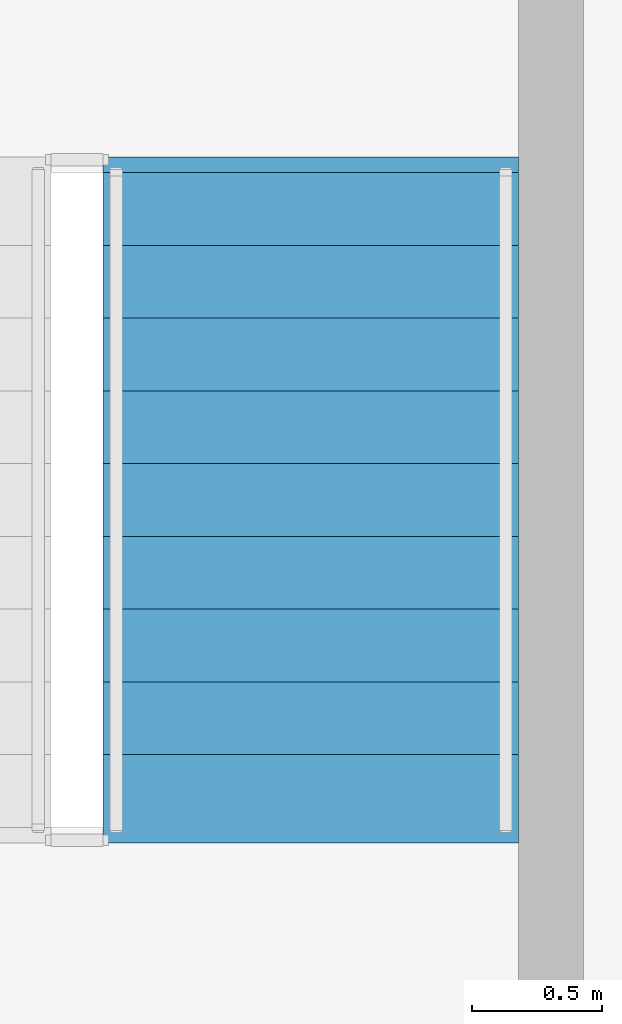
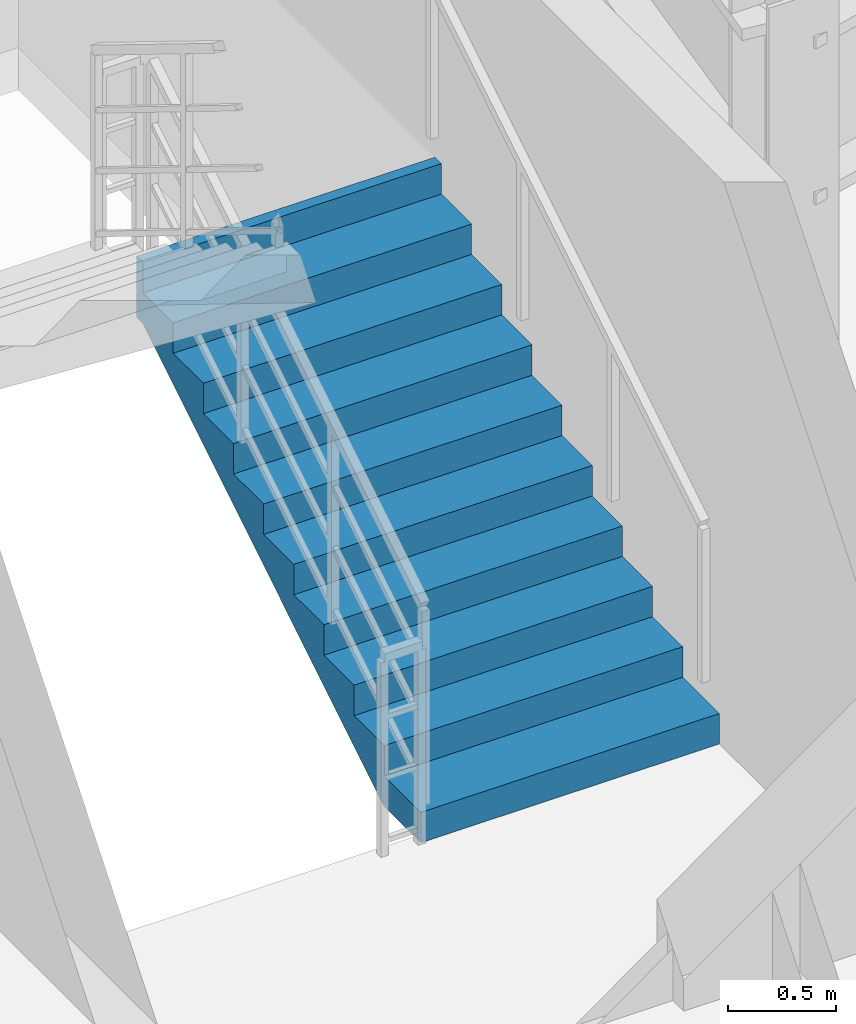
# One storey, part 12 of 13: 1 stair flight, 1 element without a shape of its own.
"""IFC4 building model written with IfcOpenShell, lengths in metres."""

import ifcopenshell
import ifcopenshell.guid

model = None  # the IFC model being written
_history = None  # IfcOwnerHistory: only IFC2X3 demands one
_inside = {}  # id of a spatial element -> (the spatial element, [elements in it])
_under = {}  # id of a project, library or spatial element -> (it, [spatial elements below it])
_declared = {}  # id of a project -> (the project, [libraries it declares])
_typed = {}  # id of a type object -> (the type object, [elements of that type])
_made_of = {}  # id of a material, layer set ... -> (it, [elements and type objects made of it])


def new_model(schema):
    """Start an empty IFC model of exactly this schema.

    Asked for "IFC4X3", IfcOpenShell would pick the latest addendum, in which some entities
    have other attributes; the version numbers below select the first issue.
    IFC2X3 requires an IfcOwnerHistory on every rooted entity: one is made here for all.
    """
    global model, _history
    if schema == "IFC4X3":
        model = ifcopenshell.file(schema_version=(4, 3, 0, 0))
    else:
        model = ifcopenshell.file(schema=schema)
    _inside.clear()
    _under.clear()
    _declared.clear()
    _typed.clear()
    _made_of.clear()
    _history = None
    if model.schema == "IFC2X3":
        org = make("IfcOrganization", Name="unknown")
        user = make(
            "IfcPersonAndOrganization",
            ThePerson=make("IfcPerson", FamilyName="unknown"),
            TheOrganization=org,
        )
        app = make(
            "IfcApplication",
            ApplicationDeveloper=org,
            Version="unknown",
            ApplicationFullName="unknown",
            ApplicationIdentifier="unknown",
        )
        _history = make(
            "IfcOwnerHistory",
            OwningUser=user,
            OwningApplication=app,
            ChangeAction="ADDED",
            CreationDate=0,
        )
    return model


def make(cls, **values):
    """One entity of the class cls with the attributes given. An attribute that is None is left unset."""
    return model.create_entity(
        cls, **{name: value for name, value in values.items() if value is not None}
    )


def rooted(cls, **values):
    """An entity with a GlobalId (a new one), such as an element, a storey or a relation."""
    return make(cls, GlobalId=ifcopenshell.guid.new(), OwnerHistory=_history, **values)


def si_unit(unit_type, name, prefix=None):
    """IfcSIUnit, for example si_unit("LENGTHUNIT", "METRE", prefix="MILLI")."""
    return make("IfcSIUnit", UnitType=unit_type, Prefix=prefix, Name=name)


def assignment(units):
    """IfcUnitAssignment: the units of a project."""
    return None if units is None else make("IfcUnitAssignment", Units=units)


def point(xyz):
    """IfcCartesianPoint."""
    return None if xyz is None else make("IfcCartesianPoint", Coordinates=xyz)


def direction(xyz):
    """IfcDirection."""
    return None if xyz is None else make("IfcDirection", DirectionRatios=xyz)


def frame(location, z_axis=None, x_axis=None):
    """IfcAxis2Placement3D, a coordinate frame: its origin and axes. An axis left out is left unset."""
    return make(
        "IfcAxis2Placement3D",
        Location=point(location),
        Axis=direction(z_axis),
        RefDirection=direction(x_axis),
    )


def origin():
    """The frame at (0, 0, 0) with its axes left unset."""
    return frame((0.0, 0.0, 0.0))


def place(relative_to, where):
    """IfcLocalPlacement: puts the frame where relative to a parent placement (None: the world)."""
    return make(
        "IfcLocalPlacement", PlacementRelTo=relative_to, RelativePlacement=where
    )


def context(
    kind, dimensions, precision=None, world=None, true_north=None, identifier=None
):
    """IfcGeometricRepresentationContext, for example the 3D "Model" context."""
    return make(
        "IfcGeometricRepresentationContext",
        ContextIdentifier=identifier,
        ContextType=kind,
        CoordinateSpaceDimension=dimensions,
        Precision=precision,
        WorldCoordinateSystem=world,
        TrueNorth=true_north,
    )


def subcontext(parent, identifier, kind, view, scale=None):
    """IfcGeometricRepresentationSubContext, for example "Body" below "Model"."""
    return make(
        "IfcGeometricRepresentationSubContext",
        ContextIdentifier=identifier,
        ContextType=kind,
        ParentContext=parent,
        TargetScale=scale,
        TargetView=view,
    )


def project(units=None, contexts=None):
    """IfcProject with its units and contexts."""
    return rooted(
        "IfcProject",
        Name="project",
        RepresentationContexts=contexts,
        UnitsInContext=assignment(units),
    )


def spatial(cls, under=None, at=None, **own):
    """A site, building, storey or space (cls), placed at a placement, below another one or the project."""
    s = rooted(cls, ObjectPlacement=at, **own)
    if under is not None:
        _under.setdefault(under.id(), (under, []))[1].append(s)
    return s


def polyline(points):
    """IfcPolyline through the points."""
    return make("IfcPolyline", Points=[point(p) for p in points])


def outline(outer, holes=None, kind="AREA"):
    """IfcArbitraryClosedProfileDef: a profile drawn as a closed curve; with holes, ...WithVoids."""
    if holes is None:
        return make("IfcArbitraryClosedProfileDef", ProfileType=kind, OuterCurve=outer)
    return make(
        "IfcArbitraryProfileDefWithVoids",
        ProfileType=kind,
        OuterCurve=outer,
        InnerCurves=holes,
    )


def extrude(swept, where, along, depth):
    """IfcExtrudedAreaSolid: the profile swept, set in the frame where, extruded along a direction by depth."""
    return make(
        "IfcExtrudedAreaSolid",
        SweptArea=swept,
        Position=where,
        ExtrudedDirection=direction(along),
        Depth=depth,
    )


def shape(context_of_items, identifier, shape_type, items):
    """IfcShapeRepresentation: the items that make up one representation, for example the "Body"."""
    return make(
        "IfcShapeRepresentation",
        ContextOfItems=context_of_items,
        RepresentationIdentifier=identifier,
        RepresentationType=shape_type,
        Items=items,
    )


def material(Name=None, Category=None):
    """IfcMaterial."""
    return make("IfcMaterial", Name=Name, Category=Category)


def made_of(thing, what):
    """Note that an element or type object is made of a material, layer set ...; save() writes the relation."""
    if what is not None:
        _made_of.setdefault(what.id(), (what, []))[1].append(thing)
    return thing


def type_object(cls, material=None, **own):
    """A type object (cls), such as IfcWallType, which elements share."""
    return made_of(rooted(cls, **own), material)


def element(
    cls,
    number,
    at=None,
    inside=None,
    cuts=None,
    type_object=None,
    material=None,
    context=None,
    identifier="Body",
    shape_type=None,
    held_by="IfcProductDefinitionShape",
    body=None,
    shapes=None,
    **own,
):
    """One element of the class cls, such as IfcWall. Its Tag is "e" and its number.

    at: its placement. inside: the storey or other place that contains it. cuts: it is an
    opening in that element (IfcRelVoidsElement). A single representation is given by context,
    identifier, shape_type and body (its items); several are given by shapes. held_by: the class
    of the entity that holds the representations. save() writes the other relations.
    """
    e = rooted(cls, Tag="e%d" % number, ObjectPlacement=at, **own)
    if body is not None:
        shapes = [shape(context, identifier, shape_type, body)]
    if shapes is not None:
        e.Representation = make(held_by, Representations=shapes)
    if inside is not None:
        _inside.setdefault(inside.id(), (inside, []))[1].append(e)
    if cuts is not None:
        rooted(
            "IfcRelVoidsElement", RelatingBuildingElement=cuts, RelatedOpeningElement=e
        )
    if type_object is not None:
        _typed.setdefault(type_object.id(), (type_object, []))[1].append(e)
    return made_of(e, material)


def aggregate(whole, parts):
    """IfcRelAggregates: a whole, such as a stair, and the parts it consists of."""
    return rooted("IfcRelAggregates", RelatingObject=whole, RelatedObjects=parts)


def save(model, path):
    """Write the relations noted so far, then the file.

    IfcRelAggregates (storeys below a building ...), IfcRelContainedInSpatialStructure (elements
    in a storey), IfcRelDefinesByType, IfcRelAssociatesMaterial and IfcRelDeclares: one each for
    every whole, place, type object, material and project.
    """
    for whole, parts in _under.values():
        aggregate(whole, parts)
    for where, things in _inside.values():
        rooted(
            "IfcRelContainedInSpatialStructure",
            RelatedElements=things,
            RelatingStructure=where,
        )
    for kind, things in _typed.values():
        rooted("IfcRelDefinesByType", RelatedObjects=things, RelatingType=kind)
    for what, things in _made_of.values():
        rooted("IfcRelAssociatesMaterial", RelatedObjects=things, RelatingMaterial=what)
    for by, libraries in _declared.values():
        rooted("IfcRelDeclares", RelatingContext=by, RelatedDefinitions=libraries)
    model.write(path)


model = new_model("IFC4")

# Units and contexts
model_context = context("Model", 3, precision=1e-05, world=origin(), true_north=direction((0.0, 1.0)))
body_context = subcontext(model_context, "Body", "Model", "MODEL_VIEW")
ifc_project = project(units=[si_unit("LENGTHUNIT", "METRE"), si_unit("AREAUNIT", "SQUARE_METRE"), si_unit("VOLUMEUNIT", "CUBIC_METRE"), si_unit("PLANEANGLEUNIT", "RADIAN"), si_unit("MASSUNIT", "GRAM", prefix="KILO")], contexts=[model_context])

# Site, building, storey
site_placement = place(None, origin())
site = spatial("IfcSite", under=ifc_project, at=site_placement, CompositionType="ELEMENT")
building_placement = place(site_placement, origin())
building = spatial("IfcBuilding", under=site, at=building_placement, Name="Varakhsha Concourse Tower", CompositionType="ELEMENT")
storey_placement = place(building_placement, frame((0.0, 0.0, 143.60009765625)))
storey = spatial("IfcBuildingStorey", under=building, at=storey_placement, Name="L41", CompositionType="ELEMENT", Elevation=143.60009765625)

# Stair, stair flight
ifc_material = material(Name="Concrete fc 45 MPa", Category="concrete")
stair_type = type_object("IfcStairType", Name="ST-DOGLEG-1600", PredefinedType="HALF_TURN_STAIR", material=ifc_material)
stair_placement = place(storey_placement, origin())
stair = element("IfcStair", 1, at=stair_placement, inside=storey, type_object=stair_type, Name="L41 Protected Exit Stair ST5", PredefinedType="HALF_TURN_STAIR")
stair_flight_type = type_object("IfcStairFlightType", Name="STF-1600-R1725", PredefinedType="STRAIGHT", material=ifc_material)
stair_flight_placement = place(storey_placement, frame((40.89990234375, 40.300048828125, 0.0), z_axis=(0.0, 0.0, 1.0), x_axis=(0.0, 1.0, 0.0)))
stair_flight = element("IfcStairFlight", 2, at=stair_flight_placement, type_object=stair_flight_type, Name="ST5 flight 1", NumberOfRisers=10, NumberOfTreads=9, PredefinedType="STRAIGHT", RiserHeight=0.1725, TreadLength=0.28, context=body_context, shape_type="SweptSolid", body=[
    extrude(outline(polyline([(-0.06005859375, 0.0), (-0.06005859375, 0.172607421875), (0.0, 0.172607421875), (0.280029296875, 0.172607421875), (0.280029296875, 0.344970703125), (0.56005859375, 0.344970703125), (0.56005859375, 0.517578125), (0.840087890625, 0.517578125), (0.840087890625, 0.68994140625), (1.1201171875, 0.68994140625), (1.1201171875, 0.862548828125), (1.39990234375, 0.862548828125), (1.39990234375, 1.034912109375), (1.679931640625, 1.034912109375), (1.679931640625, 1.20751953125), (1.9599609375, 1.20751953125), (1.9599609375, 1.3798828125), (2.239990234375, 1.3798828125), (2.239990234375, 1.552490234375), (2.52001953125, 1.552490234375), (2.52001953125, 1.72509765625), (2.580078125, 1.72509765625), (2.580078125, 1.37646484375), (2.52001953125, 1.37646484375), (0.285888671875, 0.0), (-0.06005859375, 0.0)])), frame((0.0, 0.800048828125, 0.0), z_axis=(0.0, -1.0, 0.0), x_axis=(1.0, 0.0, 0.0)), (0.0, 0.0, 1.0), 1.60009765625),
])
aggregate(stair, [stair_flight])

save(model, "model.ifc")
